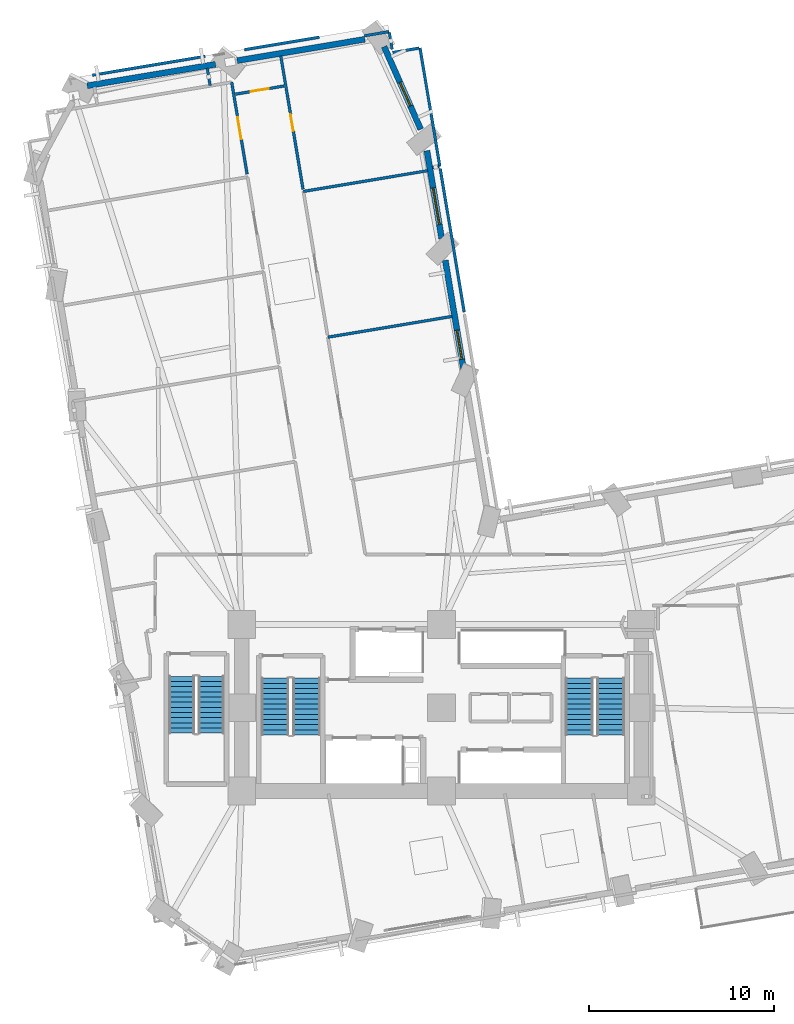
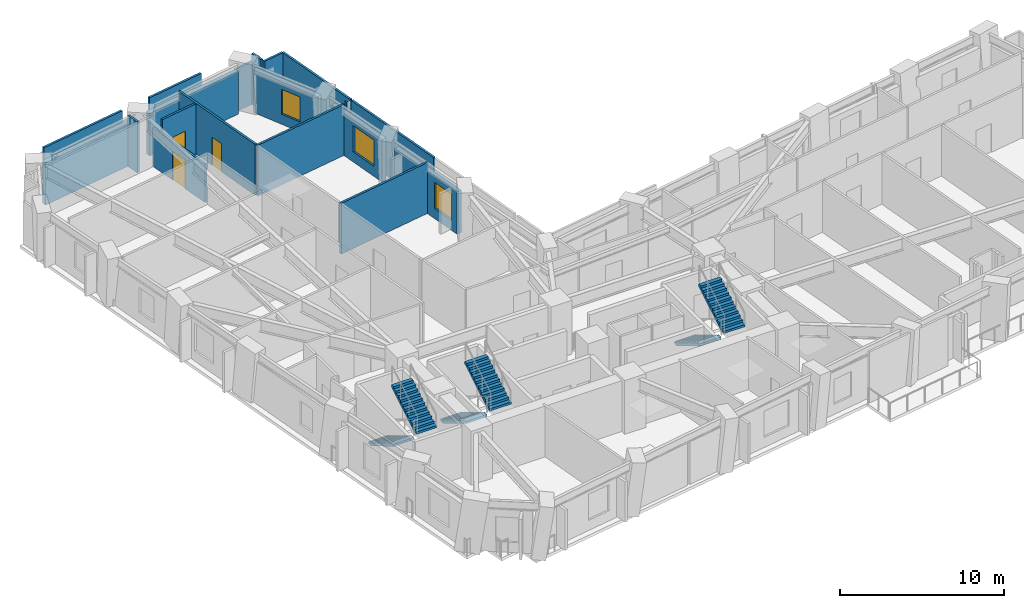
# One storey, part 12 of 16: 19 walls, 6 stair flights, 3 doors, 3 windows, 6 openings, 3 elements without a shape of their own.
"""IFC4 building model written with IfcOpenShell, lengths in metres."""

import ifcopenshell
import ifcopenshell.guid

model = None  # the IFC model being written
_history = None  # IfcOwnerHistory: only IFC2X3 demands one
_inside = {}  # id of a spatial element -> (the spatial element, [elements in it])
_under = {}  # id of a project, library or spatial element -> (it, [spatial elements below it])
_declared = {}  # id of a project -> (the project, [libraries it declares])
_typed = {}  # id of a type object -> (the type object, [elements of that type])
_made_of = {}  # id of a material, layer set ... -> (it, [elements and type objects made of it])


def new_model(schema):
    """Start an empty IFC model of exactly this schema.

    Asked for "IFC4X3", IfcOpenShell would pick the latest addendum, in which some entities
    have other attributes; the version numbers below select the first issue.
    IFC2X3 requires an IfcOwnerHistory on every rooted entity: one is made here for all.
    """
    global model, _history
    if schema == "IFC4X3":
        model = ifcopenshell.file(schema_version=(4, 3, 0, 0))
    else:
        model = ifcopenshell.file(schema=schema)
    _inside.clear()
    _under.clear()
    _declared.clear()
    _typed.clear()
    _made_of.clear()
    _history = None
    if model.schema == "IFC2X3":
        org = make("IfcOrganization", Name="unknown")
        user = make(
            "IfcPersonAndOrganization",
            ThePerson=make("IfcPerson", FamilyName="unknown"),
            TheOrganization=org,
        )
        app = make(
            "IfcApplication",
            ApplicationDeveloper=org,
            Version="unknown",
            ApplicationFullName="unknown",
            ApplicationIdentifier="unknown",
        )
        _history = make(
            "IfcOwnerHistory",
            OwningUser=user,
            OwningApplication=app,
            ChangeAction="ADDED",
            CreationDate=0,
        )
    return model


def make(cls, **values):
    """One entity of the class cls with the attributes given. An attribute that is None is left unset."""
    return model.create_entity(
        cls, **{name: value for name, value in values.items() if value is not None}
    )


def rooted(cls, **values):
    """An entity with a GlobalId (a new one), such as an element, a storey or a relation."""
    return make(cls, GlobalId=ifcopenshell.guid.new(), OwnerHistory=_history, **values)


def si_unit(unit_type, name, prefix=None):
    """IfcSIUnit, for example si_unit("LENGTHUNIT", "METRE", prefix="MILLI")."""
    return make("IfcSIUnit", UnitType=unit_type, Prefix=prefix, Name=name)


def assignment(units):
    """IfcUnitAssignment: the units of a project."""
    return None if units is None else make("IfcUnitAssignment", Units=units)


def point(xyz):
    """IfcCartesianPoint."""
    return None if xyz is None else make("IfcCartesianPoint", Coordinates=xyz)


def direction(xyz):
    """IfcDirection."""
    return None if xyz is None else make("IfcDirection", DirectionRatios=xyz)


def frame(location, z_axis=None, x_axis=None):
    """IfcAxis2Placement3D, a coordinate frame: its origin and axes. An axis left out is left unset."""
    return make(
        "IfcAxis2Placement3D",
        Location=point(location),
        Axis=direction(z_axis),
        RefDirection=direction(x_axis),
    )


def frame_2d(location, x_axis=None):
    """IfcAxis2Placement2D, a coordinate frame in the plane: its origin and x axis."""
    return make(
        "IfcAxis2Placement2D", Location=point(location), RefDirection=direction(x_axis)
    )


def origin():
    """The frame at (0, 0, 0) with its axes left unset."""
    return frame((0.0, 0.0, 0.0))


def place(relative_to, where):
    """IfcLocalPlacement: puts the frame where relative to a parent placement (None: the world)."""
    return make(
        "IfcLocalPlacement", PlacementRelTo=relative_to, RelativePlacement=where
    )


def context(
    kind, dimensions, precision=None, world=None, true_north=None, identifier=None
):
    """IfcGeometricRepresentationContext, for example the 3D "Model" context."""
    return make(
        "IfcGeometricRepresentationContext",
        ContextIdentifier=identifier,
        ContextType=kind,
        CoordinateSpaceDimension=dimensions,
        Precision=precision,
        WorldCoordinateSystem=world,
        TrueNorth=true_north,
    )


def subcontext(parent, identifier, kind, view, scale=None):
    """IfcGeometricRepresentationSubContext, for example "Body" below "Model"."""
    return make(
        "IfcGeometricRepresentationSubContext",
        ContextIdentifier=identifier,
        ContextType=kind,
        ParentContext=parent,
        TargetScale=scale,
        TargetView=view,
    )


def project(units=None, contexts=None):
    """IfcProject with its units and contexts."""
    return rooted(
        "IfcProject",
        Name="project",
        RepresentationContexts=contexts,
        UnitsInContext=assignment(units),
    )


def spatial(cls, under=None, at=None, **own):
    """A site, building, storey or space (cls), placed at a placement, below another one or the project."""
    s = rooted(cls, ObjectPlacement=at, **own)
    if under is not None:
        _under.setdefault(under.id(), (under, []))[1].append(s)
    return s


def polyline(points):
    """IfcPolyline through the points."""
    return make("IfcPolyline", Points=[point(p) for p in points])


def profile(cls, at=None, kind="AREA", **sizes):
    """A parametric profile (cls). Its sizes go by their IFC names, for example OverallWidth=200.0."""
    return make(cls, ProfileType=kind, Position=at, **sizes)


def rectangle(**sizes):
    """IfcRectangleProfileDef."""
    return profile("IfcRectangleProfileDef", **sizes)


def outline(outer, holes=None, kind="AREA"):
    """IfcArbitraryClosedProfileDef: a profile drawn as a closed curve; with holes, ...WithVoids."""
    if holes is None:
        return make("IfcArbitraryClosedProfileDef", ProfileType=kind, OuterCurve=outer)
    return make(
        "IfcArbitraryProfileDefWithVoids",
        ProfileType=kind,
        OuterCurve=outer,
        InnerCurves=holes,
    )


def extrude(swept, where, along, depth):
    """IfcExtrudedAreaSolid: the profile swept, set in the frame where, extruded along a direction by depth."""
    return make(
        "IfcExtrudedAreaSolid",
        SweptArea=swept,
        Position=where,
        ExtrudedDirection=direction(along),
        Depth=depth,
    )


def shape(context_of_items, identifier, shape_type, items):
    """IfcShapeRepresentation: the items that make up one representation, for example the "Body"."""
    return make(
        "IfcShapeRepresentation",
        ContextOfItems=context_of_items,
        RepresentationIdentifier=identifier,
        RepresentationType=shape_type,
        Items=items,
    )


def material(Name=None, Category=None):
    """IfcMaterial."""
    return make("IfcMaterial", Name=Name, Category=Category)


def layer(
    of_material, thickness, ventilated=None, Name=None, Category=None, Priority=None
):
    """IfcMaterialLayer: one layer of a wall or slab, of a material (None: an air gap)."""
    return make(
        "IfcMaterialLayer",
        Material=of_material,
        LayerThickness=thickness,
        IsVentilated=ventilated,
        Name=Name,
        Category=Category,
        Priority=Priority,
    )


def layer_set(layers, Name=None):
    """IfcMaterialLayerSet."""
    return make("IfcMaterialLayerSet", MaterialLayers=layers, LayerSetName=Name)


def made_of(thing, what):
    """Note that an element or type object is made of a material, layer set ...; save() writes the relation."""
    if what is not None:
        _made_of.setdefault(what.id(), (what, []))[1].append(thing)
    return thing


def type_object(cls, material=None, **own):
    """A type object (cls), such as IfcWallType, which elements share."""
    return made_of(rooted(cls, **own), material)


def element(
    cls,
    number,
    at=None,
    inside=None,
    cuts=None,
    type_object=None,
    material=None,
    context=None,
    identifier="Body",
    shape_type=None,
    held_by="IfcProductDefinitionShape",
    body=None,
    shapes=None,
    **own,
):
    """One element of the class cls, such as IfcWall. Its Tag is "e" and its number.

    at: its placement. inside: the storey or other place that contains it. cuts: it is an
    opening in that element (IfcRelVoidsElement). A single representation is given by context,
    identifier, shape_type and body (its items); several are given by shapes. held_by: the class
    of the entity that holds the representations. save() writes the other relations.
    """
    e = rooted(cls, Tag="e%d" % number, ObjectPlacement=at, **own)
    if body is not None:
        shapes = [shape(context, identifier, shape_type, body)]
    if shapes is not None:
        e.Representation = make(held_by, Representations=shapes)
    if inside is not None:
        _inside.setdefault(inside.id(), (inside, []))[1].append(e)
    if cuts is not None:
        rooted(
            "IfcRelVoidsElement", RelatingBuildingElement=cuts, RelatedOpeningElement=e
        )
    if type_object is not None:
        _typed.setdefault(type_object.id(), (type_object, []))[1].append(e)
    return made_of(e, material)


def fill(opening, filler):
    """IfcRelFillsElement: the door or window that sits in an opening."""
    return rooted(
        "IfcRelFillsElement",
        RelatingOpeningElement=opening,
        RelatedBuildingElement=filler,
    )


def aggregate(whole, parts):
    """IfcRelAggregates: a whole, such as a stair, and the parts it consists of."""
    return rooted("IfcRelAggregates", RelatingObject=whole, RelatedObjects=parts)


def save(model, path):
    """Write the relations noted so far, then the file.

    IfcRelAggregates (storeys below a building ...), IfcRelContainedInSpatialStructure (elements
    in a storey), IfcRelDefinesByType, IfcRelAssociatesMaterial and IfcRelDeclares: one each for
    every whole, place, type object, material and project.
    """
    for whole, parts in _under.values():
        aggregate(whole, parts)
    for where, things in _inside.values():
        rooted(
            "IfcRelContainedInSpatialStructure",
            RelatedElements=things,
            RelatingStructure=where,
        )
    for kind, things in _typed.values():
        rooted("IfcRelDefinesByType", RelatedObjects=things, RelatingType=kind)
    for what, things in _made_of.values():
        rooted("IfcRelAssociatesMaterial", RelatedObjects=things, RelatingMaterial=what)
    for by, libraries in _declared.values():
        rooted("IfcRelDeclares", RelatingContext=by, RelatedDefinitions=libraries)
    model.write(path)


model = new_model("IFC4")

# Units and contexts
model_context = context("Model", 3, precision=1e-05, world=origin(), true_north=direction((0.0, 1.0)))
body_context = subcontext(model_context, "Body", "Model", "MODEL_VIEW")
ifc_project = project(units=[si_unit("LENGTHUNIT", "METRE"), si_unit("AREAUNIT", "SQUARE_METRE"), si_unit("VOLUMEUNIT", "CUBIC_METRE"), si_unit("PLANEANGLEUNIT", "RADIAN"), si_unit("MASSUNIT", "GRAM", prefix="KILO")], contexts=[model_context])

# Site, building, storey
site_placement = place(None, origin())
site = spatial("IfcSite", under=ifc_project, at=site_placement, CompositionType="ELEMENT")
building_placement = place(site_placement, origin())
building = spatial("IfcBuilding", under=site, at=building_placement, Name="Gaonmaruhae Medical Tower", CompositionType="ELEMENT")
storey_placement = place(building_placement, frame((0.0, 0.0, 63.0)))
storey = spatial("IfcBuildingStorey", under=building, at=storey_placement, Name="L14", CompositionType="ELEMENT", Elevation=63.0)

# Wall, opening, window
ifc_material_1 = material(Name="Precast concrete C45/55", Category="concrete")
ifc_layer_1 = layer(ifc_material_1, 0.320068359375)
ifc_layer_set_1 = layer_set([ifc_layer_1], Name="Precast concrete C45/55")
wall_type_1 = type_object("IfcWallType", Name="EW-320 Lower Precast Masonry-Frame Facade Wall", PredefinedType="SOLIDWALL", material=ifc_layer_set_1)
wall_1_placement = place(storey_placement, frame((25.99267578125, 30.574462890625, 0.0), z_axis=(0.0, 0.0, 1.0), x_axis=(-0.165052568098, 0.986284771131, 0.0)))
wall_1 = element("IfcWall", 1, at=wall_1_placement, inside=storey, type_object=wall_type_1, Name="L14 Precast Masonry-Frame Wall NE01-NE02", PredefinedType="SOLIDWALL", context=body_context, shape_type="SweptSolid", body=[
    extrude(rectangle(XDim=5.99658203125, YDim=0.320068359375, at=frame_2d((2.998291015625, 0.0))), origin(), (0.0, 0.0, 1.0), 3.1650390625),
])
opening_1_placement = place(wall_1_placement, frame((0.5673828125, 0.0, 0.75)))
opening_1 = element("IfcOpeningElement", 2, at=opening_1_placement, cuts=wall_1, Name="Opening WN-01", PredefinedType="OPENING", context=body_context, shape_type="SweptSolid", body=[
    extrude(rectangle(XDim=1.60009765625, YDim=1.949951171875, at=frame_2d((0.800048828125, 0.97509765625))), frame((0.0, 0.169921875, 0.0), z_axis=(0.0, -1.0, 0.0), x_axis=(1.0, 0.0, 0.0)), (0.0, 0.0, 1.0), 0.340087890625),
])
ifc_material_2 = material(Name="Anodised aluminium and Low-E double glazing", Category="aluminium")
window_type_1 = type_object("IfcWindowType", Name="WN-01 Ward Punched Acoustic Window 1600x1950", PartitioningType="SINGLE_PANEL", PredefinedType="WINDOW", material=ifc_material_2)
window_1_placement = place(opening_1_placement, origin())
window_1 = element("IfcWindow", 3, at=window_1_placement, inside=storey, type_object=window_type_1, Name="L14 Modular Facade Window NE01", OverallHeight=1.949951171875, OverallWidth=1.60009765625, PartitioningType="SINGLE_PANEL", PredefinedType="WINDOW", context=body_context, shape_type="SweptSolid", body=[
    extrude(rectangle(XDim=1.60009765625, YDim=1.949951171875, at=frame_2d((0.800048828125, 0.97509765625))), frame((0.0, 0.030029296875, 0.0), z_axis=(0.0, -1.0, 0.0), x_axis=(1.0, 0.0, 0.0)), (0.0, 0.0, 1.0), 0.06005859375),
])
fill(opening_1, window_1)

wall_2_placement = place(storey_placement, frame((24.8056640625, 37.667236328125, 0.0), z_axis=(0.0, 0.0, 1.0), x_axis=(-0.165048338361, 0.986285478958, 0.0)))
wall_2 = element("IfcWall", 4, at=wall_2_placement, inside=storey, type_object=wall_type_1, Name="L14 Precast Masonry-Frame Wall NE02-NE03", PredefinedType="SOLIDWALL", context=body_context, shape_type="SweptSolid", body=[
    extrude(rectangle(XDim=4.81640625, YDim=0.320068359375, at=frame_2d((2.408203125, 0.0))), origin(), (0.0, 0.0, 1.0), 3.1650390625),
])
opening_2_placement = place(wall_2_placement, frame((0.768798828125, 0.0, 0.75)))
opening_2 = element("IfcOpeningElement", 5, at=opening_2_placement, cuts=wall_2, Name="Opening WN-02", PredefinedType="OPENING", context=body_context, shape_type="SweptSolid", body=[
    extrude(rectangle(XDim=2.0, YDim=1.949951171875, at=frame_2d((1.0, 0.97509765625))), frame((0.0, 0.169921875, 0.0), z_axis=(0.0, -1.0, 0.0), x_axis=(1.0, 0.0, 0.0)), (0.0, 0.0, 1.0), 0.340087890625),
])
window_type_2 = type_object("IfcWindowType", Name="WN-02 Double-Bed Ward Punched Window 2000x1950", PartitioningType="SINGLE_PANEL", PredefinedType="WINDOW", material=ifc_material_2)
window_2_placement = place(opening_2_placement, origin())
window_2 = element("IfcWindow", 6, at=window_2_placement, inside=storey, type_object=window_type_2, Name="L14 Modular Facade Window NE02", OverallHeight=1.949951171875, OverallWidth=2.0, PartitioningType="SINGLE_PANEL", PredefinedType="WINDOW", context=body_context, shape_type="SweptSolid", body=[
    extrude(rectangle(XDim=2.0, YDim=1.949951171875, at=frame_2d((1.0, 0.97509765625))), frame((0.0, 0.030029296875, 0.0), z_axis=(0.0, -1.0, 0.0), x_axis=(1.0, 0.0, 0.0)), (0.0, 0.0, 1.0), 0.06005859375),
])
fill(opening_2, window_2)

wall_3_placement = place(storey_placement, frame((21.69482421875, 48.04150390625, 0.0), z_axis=(0.0, 0.0, 1.0), x_axis=(0.404877849422, -0.914370782039, 0.0)))
wall_3 = element("IfcWall", 7, at=wall_3_placement, inside=storey, type_object=wall_type_1, Name="L14 Precast Masonry-Frame Wall NE03-N01", PredefinedType="SOLIDWALL", context=body_context, shape_type="SweptSolid", body=[
    extrude(rectangle(XDim=4.88916015625, YDim=0.320068359375, at=frame_2d((2.444580078125, 0.0))), origin(), (0.0, 0.0, 1.0), 3.1650390625),
])
opening_3_placement = place(wall_3_placement, frame((2.11474609375, 0.0, 0.75)))
opening_3 = element("IfcOpeningElement", 8, at=opening_3_placement, cuts=wall_3, Name="Opening WN-03", PredefinedType="OPENING", context=body_context, shape_type="SweptSolid", body=[
    extrude(rectangle(XDim=1.39990234375, YDim=1.85009765625, at=frame_2d((0.699951171875, 0.925048828125))), frame((0.0, 0.169921875, 0.0), z_axis=(0.0, -1.0, 0.0), x_axis=(1.0, 0.0, 0.0)), (0.0, 0.0, 1.0), 0.340087890625),
])
window_type_3 = type_object("IfcWindowType", Name="WN-03 Isolation Ward Punched Window 1400x1850", PartitioningType="SINGLE_PANEL", PredefinedType="WINDOW", material=ifc_material_2)
window_3_placement = place(opening_3_placement, origin())
window_3 = element("IfcWindow", 9, at=window_3_placement, inside=storey, type_object=window_type_3, Name="L14 Modular Facade Window NE03", OverallHeight=1.85009765625, OverallWidth=1.39990234375, PartitioningType="SINGLE_PANEL", PredefinedType="WINDOW", context=body_context, shape_type="SweptSolid", body=[
    extrude(rectangle(XDim=1.39990234375, YDim=1.85009765625, at=frame_2d((0.699951171875, 0.925048828125))), frame((0.0, 0.030029296875, 0.0), z_axis=(0.0, -1.0, 0.0), x_axis=(1.0, 0.0, 0.0)), (0.0, 0.0, 1.0), 0.06005859375),
])
fill(opening_3, window_3)

# Walls
wall_4_placement = place(storey_placement, frame((13.749755859375, 47.281982421875, 0.0), z_axis=(0.0, 0.0, 1.0), x_axis=(0.986281570607, 0.165071691945, 0.0)))
element("IfcWall", 10, at=wall_4_placement, inside=storey, type_object=wall_type_1, Name="L14 Precast Masonry-Frame Wall N01-N02", PredefinedType="SOLIDWALL", context=body_context, shape_type="SweptSolid", body=[
    extrude(rectangle(XDim=7.003173828125, YDim=0.320068359375, at=frame_2d((3.50146484375, 0.0))), origin(), (0.0, 0.0, 1.0), 3.1650390625),
])
wall_5_placement = place(storey_placement, frame((5.64306640625, 45.925537109375, 0.0), z_axis=(0.0, 0.0, 1.0), x_axis=(0.986289610151, 0.16502364954, 0.0)))
element("IfcWall", 11, at=wall_5_placement, inside=storey, type_object=wall_type_1, Name="L14 Precast Masonry-Frame Wall N02-N03", PredefinedType="SOLIDWALL", context=body_context, shape_type="SweptSolid", body=[
    extrude(rectangle(XDim=7.03466796875, YDim=0.320068359375, at=frame_2d((3.517333984375, 0.0))), origin(), (0.0, 0.0, 1.0), 3.1650390625),
])

# Wall, opening, door
ifc_material_3 = material(Name="Gypsum board partition", Category="gypsum")
ifc_layer_2 = layer(ifc_material_3, 0.14990234375)
ifc_layer_set_2 = layer_set([ifc_layer_2], Name="Gypsum board partition")
wall_type_2 = type_object("IfcWallType", Name="PW-150 Rated Clinical Corridor Partition", PredefinedType="PARTITIONING", material=ifc_layer_set_2)
wall_6_placement = place(storey_placement, frame((13.455078125, 46.117919921875, 0.0), z_axis=(0.0, 0.0, 1.0), x_axis=(0.165082339721, -0.986279788454, 0.0)))
wall_6 = element("IfcWall", 12, at=wall_6_placement, inside=storey, type_object=wall_type_2, Name="L14 Interior Partition L14-WOF17-63", PredefinedType="PARTITIONING", context=body_context, shape_type="SweptSolid", body=[
    extrude(rectangle(XDim=5.0400390625, YDim=0.14990234375, at=frame_2d((2.52001953125, 0.0))), origin(), (0.0, 0.0, 1.0), 2.864990234375),
])
opening_4_placement = place(wall_6_placement, frame((1.920166015625, 0.0, 0.0)))
opening_4 = element("IfcOpeningElement", 13, at=opening_4_placement, cuts=wall_6, Name="Opening CD-02", PredefinedType="OPENING", context=body_context, shape_type="SweptSolid", body=[
    extrude(rectangle(XDim=1.199951171875, YDim=2.14990234375, at=frame_2d((0.60009765625, 1.074951171875))), frame((0.0, 0.0849609375, 0.0), z_axis=(0.0, -1.0, 0.0), x_axis=(1.0, 0.0, 0.0)), (0.0, 0.0, 1.0), 0.169921875),
])
ifc_material_4 = material(Name="Antimicrobial laminate timber fire door", Category="wood")
door_type_1 = type_object("IfcDoorType", Name="CD-02 Clinical Treatment & Procedure Door 1200x2150", OperationType="NOTDEFINED", PredefinedType="DOOR", material=ifc_material_4)
door_1_placement = place(opening_4_placement, origin())
door_1 = element("IfcDoor", 14, at=door_1_placement, inside=storey, type_object=door_type_1, Name="L14 Ward Physician Reporting Office Door", OperationType="SINGLE_SWING_RIGHT", OverallHeight=2.14990234375, OverallWidth=1.199951171875, PredefinedType="DOOR", context=body_context, shape_type="SweptSolid", body=[
    extrude(rectangle(XDim=1.199951171875, YDim=2.14990234375, at=frame_2d((0.60009765625, 1.074951171875))), frame((0.0, 0.02490234375, 0.0), z_axis=(0.0, -1.0, 0.0), x_axis=(1.0, 0.0, 0.0)), (0.0, 0.0, 1.0), 0.050048828125),
])
fill(opening_4, door_1)

# Walls
wall_7_placement = place(storey_placement, frame((18.652099609375, 32.3310546875, 0.0), z_axis=(0.0, 0.0, 1.0), x_axis=(0.986282359513, 0.165066978267, 0.0)))
element("IfcWall", 15, at=wall_7_placement, inside=storey, type_object=wall_type_2, Name="L14 Interior Partition L14-IN01-91", PredefinedType="PARTITIONING", context=body_context, shape_type="SweptSolid", body=[
    extrude(rectangle(XDim=6.8154296875, YDim=0.14990234375, at=frame_2d((3.40771484375, 0.0))), origin(), (0.0, 0.0, 1.0), 3.780029296875),
])
wall_8_placement = place(storey_placement, frame((17.3330078125, 40.2119140625, 0.0), z_axis=(0.0, 0.0, 1.0), x_axis=(0.986305677768, 0.164927590181, 0.0)))
element("IfcWall", 16, at=wall_8_placement, inside=storey, type_object=wall_type_2, Name="L14 Interior Partition L14-IN02-94", PredefinedType="PARTITIONING", context=body_context, shape_type="SweptSolid", body=[
    extrude(rectangle(XDim=6.815185546875, YDim=0.14990234375, at=frame_2d((3.40771484375, 0.0))), origin(), (0.0, 0.0, 1.0), 3.780029296875),
])
wall_9_placement = place(storey_placement, frame((24.72998046875, 41.448974609375, 0.0), z_axis=(0.0, 0.0, 1.0), x_axis=(0.165068018391, -0.986282185434, 0.0)))
element("IfcWall", 17, at=wall_9_placement, inside=storey, type_object=wall_type_2, Name="L14 Interior Partition L14-IN02-95", PredefinedType="PARTITIONING", context=body_context, shape_type="SweptSolid", body=[
    extrude(rectangle(XDim=7.869873046875, YDim=0.14990234375, at=frame_2d((3.93505859375, 0.0))), origin(), (0.0, 0.0, 1.0), 3.780029296875),
])
wall_10_placement = place(storey_placement, frame((23.638916015625, 47.97412109375, 0.0), z_axis=(0.0, 0.0, 1.0), x_axis=(0.165051162873, -0.986285006291, 0.0)))
element("IfcWall", 18, at=wall_10_placement, inside=storey, type_object=wall_type_2, Name="L14 Interior Partition L14-IN03-96", PredefinedType="PARTITIONING", context=body_context, shape_type="SweptSolid", body=[
    extrude(rectangle(XDim=6.4951171875, YDim=0.14990234375, at=frame_2d((3.24755859375, 0.0))), origin(), (0.0, 0.0, 1.0), 3.780029296875),
])
wall_11_placement = place(storey_placement, frame((24.662109375, 41.56005859375, 0.0), z_axis=(0.0, 0.0, 1.0), x_axis=(-0.98601292781, -0.166668851895, 0.0)))
element("IfcWall", 19, at=wall_11_placement, inside=storey, type_object=wall_type_2, Name="L14 Interior Partition L14-IN03-97", PredefinedType="PARTITIONING", context=body_context, shape_type="SweptSolid", body=[
    extrude(rectangle(XDim=0.3662109375, YDim=0.14990234375, at=frame_2d((0.18310546875, 0.0))), origin(), (0.0, 0.0, 1.0), 3.780029296875),
])

# Wall, opening, door
wall_12_placement = place(storey_placement, frame((17.31298828125, 40.330078125, 0.0), z_axis=(0.0, 0.0, 1.0), x_axis=(-0.164983866738, 0.986296265691, 0.0)))
wall_12 = element("IfcWall", 20, at=wall_12_placement, inside=storey, type_object=wall_type_2, Name="L14 Interior Partition L14-IN03-98", PredefinedType="PARTITIONING", context=body_context, shape_type="SweptSolid", body=[
    extrude(rectangle(XDim=7.31005859375, YDim=0.14990234375, at=frame_2d((3.655029296875, 0.0))), origin(), (0.0, 0.0, 1.0), 3.780029296875),
])
opening_5_placement = place(wall_12_placement, frame((3.195068359375, 0.0, 0.0)))
opening_5 = element("IfcOpeningElement", 21, at=opening_5_placement, cuts=wall_12, Name="Opening UD-01", PredefinedType="OPENING", context=body_context, shape_type="SweptSolid", body=[
    extrude(rectangle(XDim=0.919921875, YDim=2.10009765625, at=frame_2d((0.4599609375, 1.050048828125))), frame((0.0, 0.0849609375, 0.0), z_axis=(0.0, -1.0, 0.0), x_axis=(1.0, 0.0, 0.0)), (0.0, 0.0, 1.0), 0.169921875),
])
ifc_material_5 = material(Name="Powder-coated steel utility door", Category="steel")
door_type_2 = type_object("IfcDoorType", Name="UD-01 Toilet, Utility & Housekeeping Door 920x2100", OperationType="NOTDEFINED", PredefinedType="DOOR", material=ifc_material_5)
door_2_placement = place(opening_5_placement, origin())
door_2 = element("IfcDoor", 22, at=door_2_placement, inside=storey, type_object=door_type_2, Name="L14 Public Visitor Toilet Door", OperationType="SINGLE_SWING_RIGHT", OverallHeight=2.10009765625, OverallWidth=0.919921875, PredefinedType="DOOR", context=body_context, shape_type="SweptSolid", body=[
    extrude(rectangle(XDim=0.919921875, YDim=2.10009765625, at=frame_2d((0.4599609375, 1.050048828125))), frame((0.0, 0.02490234375, 0.0), z_axis=(0.0, -1.0, 0.0), x_axis=(1.0, 0.0, 0.0)), (0.0, 0.0, 1.0), 0.050048828125),
])
fill(opening_5, door_2)

# Walls
wall_13_placement = place(storey_placement, frame((20.625, 48.6259765625, 0.0), z_axis=(0.0, 0.0, 1.0), x_axis=(0.986301899807, 0.164950181684, 0.0)))
element("IfcWall", 23, at=wall_13_placement, inside=storey, type_object=wall_type_2, Name="L14 Interior Partition L14-IN03-99", PredefinedType="PARTITIONING", context=body_context, shape_type="SweptSolid", body=[
    extrude(rectangle(XDim=1.36474609375, YDim=0.14990234375, at=frame_2d((0.682373046875, 0.0))), origin(), (0.0, 0.0, 1.0), 3.1650390625),
])
wall_14_placement = place(storey_placement, frame((21.97900390625, 48.802001953125, 0.0), z_axis=(0.0, 0.0, 1.0), x_axis=(0.164614956806, -0.986357904615, 0.0)))
element("IfcWall", 24, at=wall_14_placement, inside=storey, type_object=wall_type_2, Name="L14 Interior Partition L14-IN03-100", PredefinedType="PARTITIONING", context=body_context, shape_type="SweptSolid", body=[
    extrude(rectangle(XDim=0.91650390625, YDim=0.14990234375, at=frame_2d((0.458251953125, 0.0))), origin(), (0.0, 0.0, 1.0), 3.780029296875),
])
wall_15_placement = place(storey_placement, frame((22.158935546875, 47.72607421875, 0.0), z_axis=(0.0, 0.0, 1.0), x_axis=(0.986229740744, 0.16538107048, 0.0)))
element("IfcWall", 25, at=wall_15_placement, inside=storey, type_object=wall_type_2, Name="L14 Interior Partition L14-IN03-101", PredefinedType="PARTITIONING", context=body_context, shape_type="SweptSolid", body=[
    extrude(rectangle(XDim=1.451171875, YDim=0.14990234375, at=frame_2d((0.7255859375, 0.0))), origin(), (0.0, 0.0, 1.0), 3.780029296875),
])
wall_16_placement = place(storey_placement, frame((5.9189453125, 46.4990234375, 0.0), z_axis=(0.0, 0.0, 1.0), x_axis=(0.986276414142, 0.165102498184, 0.0)))
element("IfcWall", 26, at=wall_16_placement, inside=storey, type_object=wall_type_2, Name="L14 Interior Partition L14-RM01-102", PredefinedType="PARTITIONING", context=body_context, shape_type="SweptSolid", body=[
    extrude(rectangle(XDim=6.18994140625, YDim=0.14990234375, at=frame_2d((3.094970703125, 0.0))), origin(), (0.0, 0.0, 1.0), 3.780029296875),
])
wall_17_placement = place(storey_placement, frame((12.132080078125, 46.8740234375, 0.0), z_axis=(0.0, 0.0, 1.0), x_axis=(0.165069196057, -0.986281988335, 0.0)))
element("IfcWall", 27, at=wall_17_placement, inside=storey, type_object=wall_type_2, Name="L14 Interior Partition L14-RM01-103", PredefinedType="PARTITIONING", context=body_context, shape_type="SweptSolid", body=[
    extrude(rectangle(XDim=0.945068359375, YDim=0.14990234375, at=frame_2d((0.47265625, 0.0))), origin(), (0.0, 0.0, 1.0), 3.780029296875),
])
wall_18_placement = place(storey_placement, frame((14.14794921875, 47.8759765625, 0.0), z_axis=(0.0, 0.0, 1.0), x_axis=(0.986287401188, 0.165036851214, 0.0)))
element("IfcWall", 28, at=wall_18_placement, inside=storey, type_object=wall_type_2, Name="L14 Interior Partition L14-RM02-105", PredefinedType="PARTITIONING", context=body_context, shape_type="SweptSolid", body=[
    extrude(rectangle(XDim=4.09619140625, YDim=0.14990234375, at=frame_2d((2.048095703125, 0.0))), origin(), (0.0, 0.0, 1.0), 3.780029296875),
])

# Wall, opening, door
wall_19_placement = place(storey_placement, frame((16.278076171875, 45.910888671875, 0.0), z_axis=(0.0, 0.0, 1.0), x_axis=(-0.986241585852, -0.165310418109, 0.0)))
wall_19 = element("IfcWall", 29, at=wall_19_placement, inside=storey, type_object=wall_type_2, Name="L14 Interior Partition L14-RM02-106", PredefinedType="PARTITIONING", context=body_context, shape_type="SweptSolid", body=[
    extrude(rectangle(XDim=2.6494140625, YDim=0.14990234375, at=frame_2d((1.32470703125, 0.0))), origin(), (0.0, 0.0, 1.0), 3.780029296875),
])
opening_6_placement = place(wall_19_placement, frame((0.82470703125, 0.0, 0.0)))
opening_6 = element("IfcOpeningElement", 30, at=opening_6_placement, cuts=wall_19, Name="Opening CD-01", PredefinedType="OPENING", context=body_context, shape_type="SweptSolid", body=[
    extrude(rectangle(XDim=1.0, YDim=2.1201171875, at=frame_2d((0.5, 1.06005859375))), frame((0.0, 0.0849609375, 0.0), z_axis=(0.0, -1.0, 0.0), x_axis=(1.0, 0.0, 0.0)), (0.0, 0.0, 1.0), 0.169921875),
])
door_type_3 = type_object("IfcDoorType", Name="CD-01 Consultation & Physician Office Door 1000x2120", OperationType="NOTDEFINED", PredefinedType="DOOR", material=ifc_material_4)
door_3_placement = place(opening_6_placement, origin())
door_3 = element("IfcDoor", 31, at=door_3_placement, inside=storey, type_object=door_type_3, Name="L14 Care Team Clinical Charting Office Door", OperationType="SINGLE_SWING_LEFT", OverallHeight=2.1201171875, OverallWidth=1.0, PredefinedType="DOOR", context=body_context, shape_type="SweptSolid", body=[
    extrude(rectangle(XDim=1.0, YDim=2.1201171875, at=frame_2d((0.5, 1.06005859375))), frame((0.0, 0.02490234375, 0.0), z_axis=(0.0, -1.0, 0.0), x_axis=(1.0, 0.0, 0.0)), (0.0, 0.0, 1.0), 0.050048828125),
])
fill(opening_6, door_3)

# Stair, stair flights
ifc_material_6 = material(Name="Concrete C40/50", Category="concrete")
stair_type_1 = type_object("IfcStairType", Name="ST-T1 Primary Core Escape Dogleg Stair", PredefinedType="TWO_QUARTER_TURN_STAIR", material=ifc_material_6)
stair_1_placement = place(storey_placement, origin())
stair_1 = element("IfcStair", 32, at=stair_1_placement, inside=storey, type_object=stair_type_1, Name="L14 Protected Escape Stair ST-01", PredefinedType="TWO_QUARTER_TURN_STAIR")
stair_flight_type_1 = type_object("IfcStairFlightType", Name="SF-T1 Primary Core Precast Stair Flight", PredefinedType="STRAIGHT", material=ifc_material_6)
stair_flight_1_placement = place(storey_placement, frame((15.800048828125, 13.89990234375, 0.0), z_axis=(0.0, 0.0, 1.0), x_axis=(0.0, -1.0, 0.0)))
stair_flight_1 = element("IfcStairFlight", 33, at=stair_flight_1_placement, type_object=stair_flight_type_1, Name="ST-01 flight 1", NumberOfRisers=12, NumberOfTreads=11, PredefinedType="STRAIGHT", RiserHeight=0.166666667, TreadLength=0.28, context=body_context, shape_type="SweptSolid", body=[
    extrude(outline(polyline([(0.0, 0.0), (0.0, 0.166748046875), (0.280029296875, 0.166748046875), (0.280029296875, 0.333251953125), (0.56005859375, 0.333251953125), (0.56005859375, 0.5), (0.840087890625, 0.5), (0.840087890625, 0.666748046875), (1.1201171875, 0.666748046875), (1.1201171875, 0.833251953125), (1.39990234375, 0.833251953125), (1.39990234375, 1.0), (1.679931640625, 1.0), (1.679931640625, 1.166748046875), (1.9599609375, 1.166748046875), (1.9599609375, 1.333251953125), (2.239990234375, 1.333251953125), (2.239990234375, 1.5), (2.52001953125, 1.5), (2.52001953125, 1.666748046875), (2.800048828125, 1.666748046875), (2.800048828125, 1.833251953125), (3.080078125, 1.833251953125), (3.080078125, 2.0), (3.080078125, 1.658935546875), (0.29296875, 0.0), (0.0, 0.0)])), frame((0.0, 0.75, 0.0), z_axis=(0.0, -1.0, 0.0), x_axis=(1.0, 0.0, 0.0)), (0.0, 0.0, 1.0), 1.5),
])
stair_flight_2_placement = place(storey_placement, frame((17.5, 10.820068359375, 2.0), z_axis=(0.0, 0.0, 1.0), x_axis=(0.0, 1.0, 0.0)))
stair_flight_2 = element("IfcStairFlight", 34, at=stair_flight_2_placement, type_object=stair_flight_type_1, Name="ST-01 flight 2", NumberOfRisers=12, NumberOfTreads=11, PredefinedType="STRAIGHT", RiserHeight=0.166666667, TreadLength=0.28, context=body_context, shape_type="SweptSolid", body=[
    extrude(outline(polyline([(0.0, 0.0), (0.0, 0.166748046875), (0.280029296875, 0.166748046875), (0.280029296875, 0.333251953125), (0.56005859375, 0.333251953125), (0.56005859375, 0.5), (0.840087890625, 0.5), (0.840087890625, 0.666748046875), (1.1201171875, 0.666748046875), (1.1201171875, 0.833251953125), (1.39990234375, 0.833251953125), (1.39990234375, 1.0), (1.679931640625, 1.0), (1.679931640625, 1.166748046875), (1.9599609375, 1.166748046875), (1.9599609375, 1.333251953125), (2.239990234375, 1.333251953125), (2.239990234375, 1.5), (2.52001953125, 1.5), (2.52001953125, 1.666748046875), (2.800048828125, 1.666748046875), (2.800048828125, 1.833251953125), (3.080078125, 1.833251953125), (3.080078125, 2.0), (3.080078125, 1.658935546875), (0.29296875, 0.0), (0.0, 0.0)])), frame((0.0, 0.75, 0.0), z_axis=(0.0, -1.0, 0.0), x_axis=(1.0, 0.0, 0.0)), (0.0, 0.0, 1.0), 1.5),
])
aggregate(stair_1, [stair_flight_1, stair_flight_2])

stair_2_placement = place(storey_placement, origin())
stair_2 = element("IfcStair", 35, at=stair_2_placement, inside=storey, type_object=stair_type_1, Name="L14 Protected Escape Stair ST-02", PredefinedType="TWO_QUARTER_TURN_STAIR")
stair_flight_3_placement = place(storey_placement, frame((32.25, 13.89990234375, 0.0), z_axis=(0.0, 0.0, 1.0), x_axis=(0.0, -1.0, 0.0)))
stair_flight_3 = element("IfcStairFlight", 36, at=stair_flight_3_placement, type_object=stair_flight_type_1, Name="ST-02 flight 1", NumberOfRisers=12, NumberOfTreads=11, PredefinedType="STRAIGHT", RiserHeight=0.166666667, TreadLength=0.28, context=body_context, shape_type="SweptSolid", body=[
    extrude(outline(polyline([(0.0, 0.0), (0.0, 0.166748046875), (0.280029296875, 0.166748046875), (0.280029296875, 0.333251953125), (0.56005859375, 0.333251953125), (0.56005859375, 0.5), (0.840087890625, 0.5), (0.840087890625, 0.666748046875), (1.1201171875, 0.666748046875), (1.1201171875, 0.833251953125), (1.39990234375, 0.833251953125), (1.39990234375, 1.0), (1.679931640625, 1.0), (1.679931640625, 1.166748046875), (1.9599609375, 1.166748046875), (1.9599609375, 1.333251953125), (2.239990234375, 1.333251953125), (2.239990234375, 1.5), (2.52001953125, 1.5), (2.52001953125, 1.666748046875), (2.800048828125, 1.666748046875), (2.800048828125, 1.833251953125), (3.080078125, 1.833251953125), (3.080078125, 2.0), (3.080078125, 1.658935546875), (0.29296875, 0.0), (0.0, 0.0)])), frame((0.0, 0.75, 0.0), z_axis=(0.0, -1.0, 0.0), x_axis=(1.0, 0.0, 0.0)), (0.0, 0.0, 1.0), 1.5),
])
stair_flight_4_placement = place(storey_placement, frame((33.949951171875, 10.820068359375, 2.0), z_axis=(0.0, 0.0, 1.0), x_axis=(0.0, 1.0, 0.0)))
stair_flight_4 = element("IfcStairFlight", 37, at=stair_flight_4_placement, type_object=stair_flight_type_1, Name="ST-02 flight 2", NumberOfRisers=12, NumberOfTreads=11, PredefinedType="STRAIGHT", RiserHeight=0.166666667, TreadLength=0.28, context=body_context, shape_type="SweptSolid", body=[
    extrude(outline(polyline([(0.0, 0.0), (0.0, 0.166748046875), (0.280029296875, 0.166748046875), (0.280029296875, 0.333251953125), (0.56005859375, 0.333251953125), (0.56005859375, 0.5), (0.840087890625, 0.5), (0.840087890625, 0.666748046875), (1.1201171875, 0.666748046875), (1.1201171875, 0.833251953125), (1.39990234375, 0.833251953125), (1.39990234375, 1.0), (1.679931640625, 1.0), (1.679931640625, 1.166748046875), (1.9599609375, 1.166748046875), (1.9599609375, 1.333251953125), (2.239990234375, 1.333251953125), (2.239990234375, 1.5), (2.52001953125, 1.5), (2.52001953125, 1.666748046875), (2.800048828125, 1.666748046875), (2.800048828125, 1.833251953125), (3.080078125, 1.833251953125), (3.080078125, 2.0), (3.080078125, 1.658935546875), (0.29296875, 0.0), (0.0, 0.0)])), frame((0.0, 0.75, 0.0), z_axis=(0.0, -1.0, 0.0), x_axis=(1.0, 0.0, 0.0)), (0.0, 0.0, 1.0), 1.5),
])
aggregate(stair_2, [stair_flight_3, stair_flight_4])

stair_type_2 = type_object("IfcStairType", Name="ST-T2 Zone 1 Escape Dogleg Stair", PredefinedType="TWO_QUARTER_TURN_STAIR", material=ifc_material_6)
stair_3_placement = place(storey_placement, origin())
stair_3 = element("IfcStair", 38, at=stair_3_placement, inside=storey, type_object=stair_type_2, Name="L14 Protected Escape Stair ST-03", PredefinedType="TWO_QUARTER_TURN_STAIR")
stair_flight_type_2 = type_object("IfcStairFlightType", Name="SF-T2 Zone 1 Precast Stair Flight", PredefinedType="STRAIGHT", material=ifc_material_6)
stair_flight_5_placement = place(storey_placement, frame((10.75, 14.0, 0.0), z_axis=(0.0, 0.0, 1.0), x_axis=(0.0, -1.0, 0.0)))
stair_flight_5 = element("IfcStairFlight", 39, at=stair_flight_5_placement, type_object=stair_flight_type_2, Name="ST-03 flight 1", NumberOfRisers=12, NumberOfTreads=11, PredefinedType="STRAIGHT", RiserHeight=0.166666667, TreadLength=0.28, context=body_context, shape_type="SweptSolid", body=[
    extrude(outline(polyline([(0.0, 0.0), (0.0, 0.166748046875), (0.280029296875, 0.166748046875), (0.280029296875, 0.333251953125), (0.56005859375, 0.333251953125), (0.56005859375, 0.5), (0.840087890625, 0.5), (0.840087890625, 0.666748046875), (1.1201171875, 0.666748046875), (1.1201171875, 0.833251953125), (1.39990234375, 0.833251953125), (1.39990234375, 1.0), (1.679931640625, 1.0), (1.679931640625, 1.166748046875), (1.9599609375, 1.166748046875), (1.9599609375, 1.333251953125), (2.239990234375, 1.333251953125), (2.239990234375, 1.5), (2.52001953125, 1.5), (2.52001953125, 1.666748046875), (2.800048828125, 1.666748046875), (2.800048828125, 1.833251953125), (3.080078125, 1.833251953125), (3.080078125, 2.0), (3.080078125, 1.658935546875), (0.29296875, 0.0), (0.0, 0.0)])), frame((0.0, 0.699951171875, 0.0), z_axis=(0.0, -1.0, 0.0), x_axis=(1.0, 0.0, 0.0)), (0.0, 0.0, 1.0), 1.39990234375),
])
stair_flight_6_placement = place(storey_placement, frame((12.35009765625, 10.919921875, 2.0), z_axis=(0.0, 0.0, 1.0), x_axis=(0.0, 1.0, 0.0)))
stair_flight_6 = element("IfcStairFlight", 40, at=stair_flight_6_placement, type_object=stair_flight_type_2, Name="ST-03 flight 2", NumberOfRisers=12, NumberOfTreads=11, PredefinedType="STRAIGHT", RiserHeight=0.166666667, TreadLength=0.28, context=body_context, shape_type="SweptSolid", body=[
    extrude(outline(polyline([(0.0, 0.0), (0.0, 0.166748046875), (0.280029296875, 0.166748046875), (0.280029296875, 0.333251953125), (0.56005859375, 0.333251953125), (0.56005859375, 0.5), (0.840087890625, 0.5), (0.840087890625, 0.666748046875), (1.1201171875, 0.666748046875), (1.1201171875, 0.833251953125), (1.39990234375, 0.833251953125), (1.39990234375, 1.0), (1.679931640625, 1.0), (1.679931640625, 1.166748046875), (1.9599609375, 1.166748046875), (1.9599609375, 1.333251953125), (2.239990234375, 1.333251953125), (2.239990234375, 1.5), (2.52001953125, 1.5), (2.52001953125, 1.666748046875), (2.800048828125, 1.666748046875), (2.800048828125, 1.833251953125), (3.080078125, 1.833251953125), (3.080078125, 2.0), (3.080078125, 1.658935546875), (0.29296875, 0.0), (0.0, 0.0)])), frame((0.0, 0.699951171875, 0.0), z_axis=(0.0, -1.0, 0.0), x_axis=(1.0, 0.0, 0.0)), (0.0, 0.0, 1.0), 1.39990234375),
])
aggregate(stair_3, [stair_flight_5, stair_flight_6])

save(model, "model.ifc")
